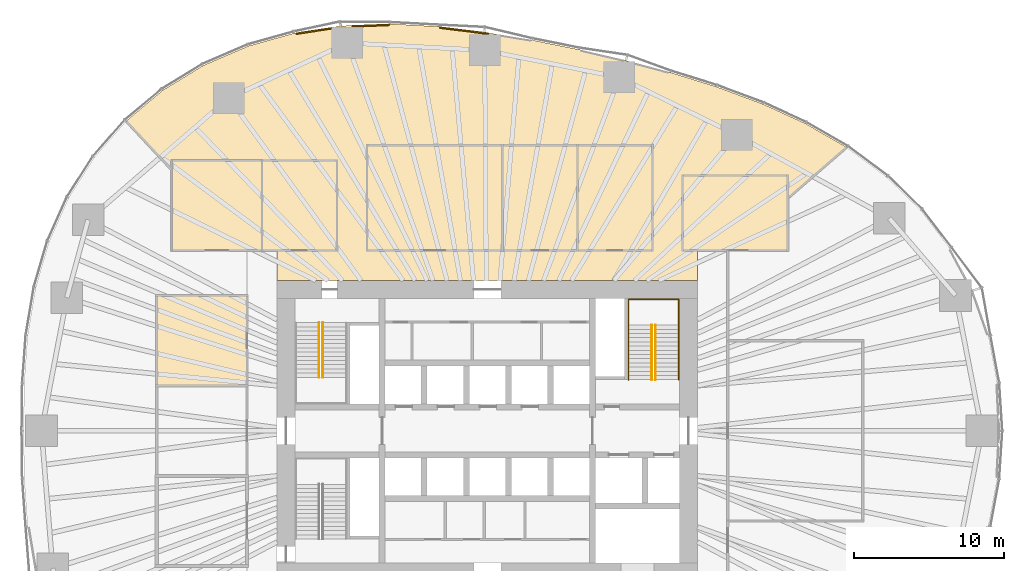
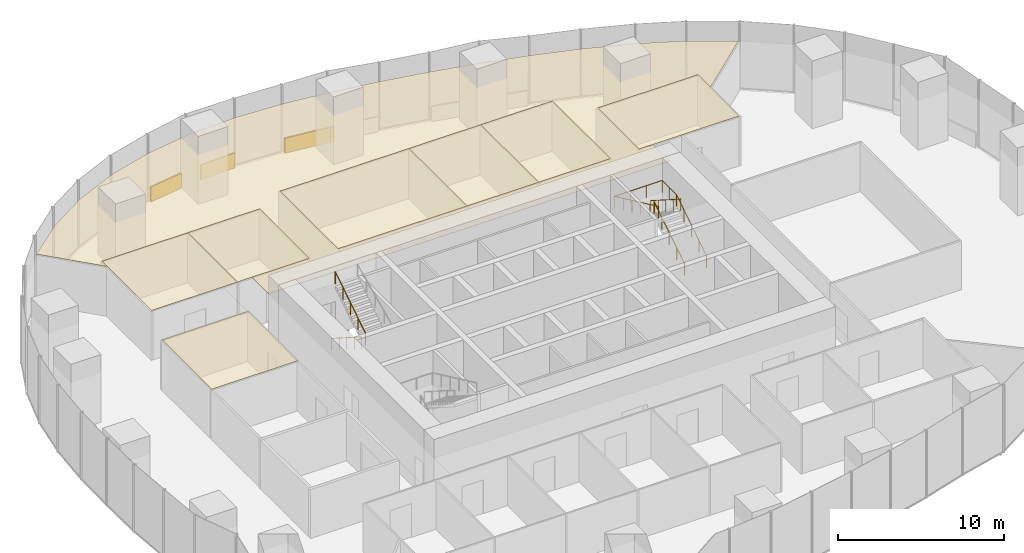
# One storey, part 19 of 20: 12 coverings, 5 railings.
"""IFC4 building model written with IfcOpenShell, lengths in metres."""

from ifc_helpers import new_model, si_unit, direction, frame, origin, origin_2d, place, context, subcontext, project, spatial, polyline, rectangle, circle, outline, extrude, material, layer, layer_set, type_object, element, save


model = new_model("IFC4")

# Units and contexts
model_context = context("Model", 3, precision=1e-05, world=origin(), true_north=direction((0.0, 1.0)))
body_context = subcontext(model_context, "Body", "Model", "MODEL_VIEW")
ifc_project = project(units=[si_unit("LENGTHUNIT", "METRE"), si_unit("AREAUNIT", "SQUARE_METRE"), si_unit("VOLUMEUNIT", "CUBIC_METRE"), si_unit("PLANEANGLEUNIT", "RADIAN"), si_unit("MASSUNIT", "GRAM", prefix="KILO")], contexts=[model_context])

# Site, building, storey
site_placement = place(None, origin())
site = spatial("IfcSite", under=ifc_project, at=site_placement, CompositionType="ELEMENT")
building_placement = place(site_placement, origin())
building = spatial("IfcBuilding", under=site, at=building_placement, Name="Ghaith Harvest Tower", CompositionType="ELEMENT")
storey_placement = place(building_placement, frame((0.0, 0.0, 50.0)))
storey = spatial("IfcBuildingStorey", under=building, at=storey_placement, Name="L10", CompositionType="ELEMENT", Elevation=50.0)

# Coverings
ifc_material_1 = material(Name="Mineral fibre ceiling tile", Category="gypsum")
ifc_layer_1 = layer(ifc_material_1, 0.02490234375)
ifc_layer_set_1 = layer_set([ifc_layer_1], Name="CEILING C2")
covering_type_1 = type_object("IfcCoveringType", Name="CEILING C2", PredefinedType="CEILING", material=ifc_layer_set_1)
covering_1_placement = place(storey_placement, frame((0.0, 0.0, 3.60009765625)))
element("IfcCovering", 1, at=covering_1_placement, inside=storey, type_object=covering_type_1, Name="Ceiling L10-08", PredefinedType="CEILING", context=body_context, shape_type="SweptSolid", body=[
    extrude(outline(polyline([(-21.0, 12.0), (-15.0, 12.0), (-15.0, 18.0), (-21.0, 18.0), (-21.0, 12.0)])), origin(), (0.0, 0.0, 1.0), 0.02490234375),
])
covering_2_placement = place(storey_placement, frame((0.0, 0.0, 3.60009765625)))
element("IfcCovering", 2, at=covering_2_placement, inside=storey, type_object=covering_type_1, Name="Ceiling L10-09", PredefinedType="CEILING", context=body_context, shape_type="SweptSolid", body=[
    extrude(outline(polyline([(-15.0, 12.0), (-10.0, 12.0), (-10.0, 18.0), (-15.0, 18.0), (-15.0, 12.0)])), origin(), (0.0, 0.0, 1.0), 0.02490234375),
])
covering_3_placement = place(storey_placement, frame((0.0, 0.0, 3.60009765625)))
element("IfcCovering", 3, at=covering_3_placement, inside=storey, type_object=covering_type_1, Name="Ceiling L10-10", PredefinedType="CEILING", context=body_context, shape_type="SweptSolid", body=[
    extrude(outline(polyline([(-8.0, 12.0), (1.0, 12.0), (1.0, 19.0), (-8.0, 19.0), (-8.0, 12.0)])), origin(), (0.0, 0.0, 1.0), 0.02490234375),
])
covering_4_placement = place(storey_placement, frame((0.0, 0.0, 3.60009765625)))
element("IfcCovering", 4, at=covering_4_placement, inside=storey, type_object=covering_type_1, Name="Ceiling L10-11", PredefinedType="CEILING", context=body_context, shape_type="SweptSolid", body=[
    extrude(outline(polyline([(1.0, 12.0), (6.0, 12.0), (6.0, 19.0), (1.0, 19.0), (1.0, 12.0)])), origin(), (0.0, 0.0, 1.0), 0.02490234375),
])
covering_5_placement = place(storey_placement, frame((0.0, 0.0, 3.60009765625)))
element("IfcCovering", 5, at=covering_5_placement, inside=storey, type_object=covering_type_1, Name="Ceiling L10-12", PredefinedType="CEILING", context=body_context, shape_type="SweptSolid", body=[
    extrude(outline(polyline([(6.0, 12.0), (11.0, 12.0), (11.0, 19.0), (6.0, 19.0), (6.0, 12.0)])), origin(), (0.0, 0.0, 1.0), 0.02490234375),
])
covering_6_placement = place(storey_placement, frame((0.0, 0.0, 3.60009765625)))
element("IfcCovering", 6, at=covering_6_placement, inside=storey, type_object=covering_type_1, Name="Ceiling L10-16", PredefinedType="CEILING", context=body_context, shape_type="SweptSolid", body=[
    extrude(outline(polyline([(-22.0, 3.0), (-16.0, 3.0), (-16.0, 9.0), (-22.0, 9.0), (-22.0, 3.0)])), origin(), (0.0, 0.0, 1.0), 0.02490234375),
])
covering_7_placement = place(storey_placement, frame((0.0, 0.0, 3.60009765625)))
element("IfcCovering", 7, at=covering_7_placement, inside=storey, type_object=covering_type_1, Name="Ceiling L10-17", PredefinedType="CEILING", context=body_context, shape_type="SweptSolid", body=[
    extrude(outline(polyline([(13.0, 12.0), (20.0, 12.0), (20.0, 17.0), (13.0, 17.0), (13.0, 12.0)])), origin(), (0.0, 0.0, 1.0), 0.02490234375),
])
covering_8_placement = place(storey_placement, frame((0.0, 0.0, 3.60009765625)))
element("IfcCovering", 8, at=covering_8_placement, inside=storey, type_object=covering_type_1, Name="Ceiling L10-N1", PredefinedType="CEILING", context=body_context, shape_type="SweptSolid", body=[
    extrude(outline(polyline([(-21.59912109375, 22.671142578125), (-18.8935546875, 24.32763671875), (-15.907958984375, 25.614501953125), (-12.828125, 26.476806640625), (-9.733642578125, 26.949951171875), (-6.4375, 27.0849609375), (-3.24755859375, 26.91064453125), (-0.181396484375, 26.527099609375), (2.99560546875, 26.004150390625), (6.10888671875, 25.378662109375), (9.21533203125, 24.65087890625), (12.1796875, 23.857666015625), (15.22119140625, 22.916259765625), (18.34521484375, 21.7548828125), (21.149169921875, 20.469482421875), (23.92431640625, 18.873046875), (20.0, 15.469482421875), (20.0, 17.0), (13.0, 17.0), (13.0, 12.0), (14.0, 12.0), (14.0, 10.0), (-14.0, 10.0), (-14.0, 12.0), (-10.0, 12.0), (-10.0, 18.0), (-21.0, 18.0), (-21.0, 17.354248046875), (-24.04833984375, 20.618408203125), (-21.59912109375, 22.671142578125)]), holes=[polyline([(-8.0, 19.0), (-8.0, 12.0), (11.0, 12.0), (11.0, 19.0), (-8.0, 19.0)])]), origin(), (0.0, 0.0, 1.0), 0.02490234375),
])

# Railings
ifc_material_2 = material(Name="Steel, black powder-coated", Category="steel")
railing_type = type_object("IfcRailingType", Name="HANDRAIL HR1", PredefinedType="HANDRAIL", material=ifc_material_2)
railing_1_placement = place(storey_placement, frame((-11.199951171875, 7.199951171875, 0.178466796875)))
element("IfcRailing", 9, at=railing_1_placement, inside=storey, type_object=railing_type, Name="Handrail HR1 stair ST1 L10 flight 1 inner", PredefinedType="HANDRAIL", context=body_context, shape_type="SweptSolid", body=[
    extrude(circle(Radius=0.02392578125, at=origin_2d()), frame((0.0, 0.0, 0.8759765625), z_axis=(0.0, -0.843111507901, 0.53773877045), x_axis=(1.0, 0.0, 0.0)), (0.0, 0.0, 1.0), 4.317138671875),
    extrude(circle(Radius=0.02099609375, at=origin_2d()), origin(), (0.0, 0.0, 1.0), 0.851806640625),
    extrude(circle(Radius=0.02099609375, at=origin_2d()), frame((0.0, -0.909912109375, 0.580322265625)), (0.0, 0.0, 1.0), 0.851806640625),
    extrude(circle(Radius=0.02099609375, at=origin_2d()), frame((0.0, -1.81982421875, 1.16064453125)), (0.0, 0.0, 1.0), 0.851806640625),
    extrude(circle(Radius=0.02099609375, at=origin_2d()), frame((0.0, -2.72998046875, 1.7412109375)), (0.0, 0.0, 1.0), 0.851806640625),
    extrude(circle(Radius=0.02099609375, at=origin_2d()), frame((0.0, -3.639892578125, 2.321533203125)), (0.0, 0.0, 1.0), 0.851806640625),
])
railing_2_placement = place(storey_placement, frame((-10.949951171875, 3.56005859375, 2.678466796875)))
element("IfcRailing", 10, at=railing_2_placement, inside=storey, type_object=railing_type, Name="Handrail HR1 stair ST1 L10 flight 2 inner", PredefinedType="HANDRAIL", context=body_context, shape_type="SweptSolid", body=[
    extrude(circle(Radius=0.02392578125, at=origin_2d()), frame((0.0, 0.0, 0.8759765625), z_axis=(0.0, 0.843111507901, 0.53773877045), x_axis=(-1.0, 0.0, 0.0)), (0.0, 0.0, 1.0), 4.317138671875),
    extrude(circle(Radius=0.02099609375, at=origin_2d()), origin(), (0.0, 0.0, 1.0), 0.851806640625),
    extrude(circle(Radius=0.02099609375, at=origin_2d()), frame((0.0, 0.909912109375, 0.580322265625)), (0.0, 0.0, 1.0), 0.851806640625),
    extrude(circle(Radius=0.02099609375, at=origin_2d()), frame((0.0, 1.81982421875, 1.16064453125)), (0.0, 0.0, 1.0), 0.851806640625),
    extrude(circle(Radius=0.02099609375, at=origin_2d()), frame((0.0, 2.72998046875, 1.7412109375)), (0.0, 0.0, 1.0), 0.851806640625),
    extrude(circle(Radius=0.02099609375, at=origin_2d()), frame((0.0, 3.639892578125, 2.321533203125)), (0.0, 0.0, 1.0), 0.851806640625),
])
railing_3_placement = place(storey_placement, frame((11.199951171875, 3.39990234375, 0.178466796875)))
element("IfcRailing", 11, at=railing_3_placement, inside=storey, type_object=railing_type, Name="Handrail HR1 stair ST2 L10 flight 1 inner", PredefinedType="HANDRAIL", context=body_context, shape_type="SweptSolid", body=[
    extrude(circle(Radius=0.02392578125, at=origin_2d()), frame((0.0, 0.0, 0.8759765625), z_axis=(0.0, 0.843127859045, 0.537713132908), x_axis=(-1.0, 0.0, 0.0)), (0.0, 0.0, 1.0), 4.3173828125),
    extrude(circle(Radius=0.02099609375, at=origin_2d()), origin(), (0.0, 0.0, 1.0), 0.851806640625),
    extrude(circle(Radius=0.02099609375, at=origin_2d()), frame((0.0, 0.91015625, 0.580322265625)), (0.0, 0.0, 1.0), 0.851806640625),
    extrude(circle(Radius=0.02099609375, at=origin_2d()), frame((0.0, 1.820068359375, 1.16064453125)), (0.0, 0.0, 1.0), 0.851806640625),
    extrude(circle(Radius=0.02099609375, at=origin_2d()), frame((0.0, 2.72998046875, 1.7412109375)), (0.0, 0.0, 1.0), 0.851806640625),
    extrude(circle(Radius=0.02099609375, at=origin_2d()), frame((0.0, 3.64013671875, 2.321533203125)), (0.0, 0.0, 1.0), 0.851806640625),
])
railing_4_placement = place(storey_placement, frame((10.949951171875, 7.0400390625, 2.678466796875)))
element("IfcRailing", 12, at=railing_4_placement, inside=storey, type_object=railing_type, Name="Handrail HR1 stair ST2 L10 flight 2 inner", PredefinedType="HANDRAIL", context=body_context, shape_type="SweptSolid", body=[
    extrude(circle(Radius=0.02392578125, at=origin_2d()), frame((0.0, 0.0, 0.8759765625), z_axis=(0.0, -0.843127859045, 0.537713132908), x_axis=(1.0, 0.0, 0.0)), (0.0, 0.0, 1.0), 4.3173828125),
    extrude(circle(Radius=0.02099609375, at=origin_2d()), origin(), (0.0, 0.0, 1.0), 0.851806640625),
    extrude(circle(Radius=0.02099609375, at=origin_2d()), frame((0.0, -0.91015625, 0.580322265625)), (0.0, 0.0, 1.0), 0.851806640625),
    extrude(circle(Radius=0.02099609375, at=origin_2d()), frame((0.0, -1.820068359375, 1.16064453125)), (0.0, 0.0, 1.0), 0.851806640625),
    extrude(circle(Radius=0.02099609375, at=origin_2d()), frame((0.0, -2.72998046875, 1.7412109375)), (0.0, 0.0, 1.0), 0.851806640625),
    extrude(circle(Radius=0.02099609375, at=origin_2d()), frame((0.0, -3.64013671875, 2.321533203125)), (0.0, 0.0, 1.0), 0.851806640625),
])
railing_5_placement = place(storey_placement, frame((12.75, 3.39990234375, 0.178466796875)))
element("IfcRailing", 13, at=railing_5_placement, inside=storey, type_object=railing_type, Name="Handrail HR1 stair ST2 L10 wall side", PredefinedType="HANDRAIL", context=body_context, shape_type="SweptSolid", body=[
    extrude(circle(Radius=0.02392578125, at=origin_2d()), frame((0.0, 0.0, 0.8759765625), z_axis=(0.0, 0.843127859045, 0.537713132908), x_axis=(-1.0, 0.0, 0.0)), (0.0, 0.0, 1.0), 4.3173828125),
    extrude(circle(Radius=0.02392578125, at=origin_2d()), frame((0.0, 3.64013671875, 3.197265625), z_axis=(0.0, 1.0, 0.0), x_axis=(-1.0, 0.0, 0.0)), (0.0, 0.0, 1.0), 1.7099609375),
    extrude(circle(Radius=0.02392578125, at=origin_2d()), frame((0.0, 5.35009765625, 3.197265625), z_axis=(-1.0, 0.0, 0.0), x_axis=(0.0, -1.0, 0.0)), (0.0, 0.0, 1.0), 3.35009765625),
    extrude(circle(Radius=0.02392578125, at=origin_2d()), frame((-3.35009765625, 5.35009765625, 3.197265625), z_axis=(0.0, -0.905969675553, 0.423342588193), x_axis=(1.0, 0.0, 0.0)), (0.0, 0.0, 1.0), 5.9052734375),
    extrude(circle(Radius=0.02099609375, at=origin_2d()), origin(), (0.0, 0.0, 1.0), 0.851806640625),
    extrude(circle(Radius=0.02099609375, at=origin_2d()), frame((0.0, 0.91015625, 0.580322265625)), (0.0, 0.0, 1.0), 0.851806640625),
    extrude(circle(Radius=0.02099609375, at=origin_2d()), frame((0.0, 1.820068359375, 1.16064453125)), (0.0, 0.0, 1.0), 0.851806640625),
    extrude(circle(Radius=0.02099609375, at=origin_2d()), frame((0.0, 2.72998046875, 1.7412109375)), (0.0, 0.0, 1.0), 0.851806640625),
    extrude(circle(Radius=0.02099609375, at=origin_2d()), frame((0.0, 3.64013671875, 2.321533203125)), (0.0, 0.0, 1.0), 0.851806640625),
    extrude(circle(Radius=0.02099609375, at=origin_2d()), frame((0.0, 4.4951171875, 2.321533203125)), (0.0, 0.0, 1.0), 0.851806640625),
    extrude(circle(Radius=0.02099609375, at=origin_2d()), frame((0.0, 5.35009765625, 2.321533203125)), (0.0, 0.0, 1.0), 0.851806640625),
    extrude(circle(Radius=0.02099609375, at=origin_2d()), frame((-1.11669921875, 5.35009765625, 2.321533203125)), (0.0, 0.0, 1.0), 0.851806640625),
    extrude(circle(Radius=0.02099609375, at=origin_2d()), frame((-2.2333984375, 5.35009765625, 2.321533203125)), (0.0, 0.0, 1.0), 0.851806640625),
    extrude(circle(Radius=0.02099609375, at=origin_2d()), frame((-3.35009765625, 5.35009765625, 2.321533203125)), (0.0, 0.0, 1.0), 0.851806640625),
    extrude(circle(Radius=0.02099609375, at=origin_2d()), frame((-3.35009765625, 4.280029296875, 2.821533203125)), (0.0, 0.0, 1.0), 0.851806640625),
    extrude(circle(Radius=0.02099609375, at=origin_2d()), frame((-3.35009765625, 3.2099609375, 3.321533203125)), (0.0, 0.0, 1.0), 0.851806640625),
    extrude(circle(Radius=0.02099609375, at=origin_2d()), frame((-3.35009765625, 2.14013671875, 3.821533203125)), (0.0, 0.0, 1.0), 0.851806640625),
    extrude(circle(Radius=0.02099609375, at=origin_2d()), frame((-3.35009765625, 1.070068359375, 4.321533203125)), (0.0, 0.0, 1.0), 0.851806640625),
    extrude(circle(Radius=0.02099609375, at=origin_2d()), frame((-3.35009765625, 0.0, 4.821533203125)), (0.0, 0.0, 1.0), 0.851806640625),
])

# Coverings
ifc_material_3 = material(Name="Insulated aluminium spandrel panel on steel framing", Category="steel")
ifc_layer_2 = layer(ifc_material_3, 0.10009765625)
ifc_layer_set_2 = layer_set([ifc_layer_2], Name="SLAB EDGE UPSTAND 1100x100")
covering_type_2 = type_object("IfcCoveringType", Name="SLAB EDGE UPSTAND 1100x100", PredefinedType="CLADDING", material=ifc_layer_set_2)
covering_9_placement = place(storey_placement, frame((-0.063720703125, 26.45703125, 0.0), z_axis=(0.0, 0.0, 1.0), x_axis=(-0.986716247541, 0.162453214305, 0.0)))
element("IfcCovering", 14, at=covering_9_placement, inside=storey, type_object=covering_type_2, Name="Slab edge upstand 3 bay 05 L10", PredefinedType="CLADDING", context=body_context, shape_type="SweptSolid", body=[
    extrude(rectangle(XDim=0.255126953125, YDim=0.10009765625, at=origin_2d()), origin(), (0.0, 0.0, 1.0), 1.10009765625),
])
covering_10_placement = place(storey_placement, frame((-1.671142578125, 26.6630859375, 0.0), z_axis=(0.0, 0.0, 1.0), x_axis=(-0.99226486887, 0.124138753038, 0.0)))
element("IfcCovering", 15, at=covering_10_placement, inside=storey, type_object=covering_type_2, Name="Slab edge upstand 1 bay 06 L10", PredefinedType="CLADDING", context=body_context, shape_type="SweptSolid", body=[
    extrude(rectangle(XDim=2.98974609375, YDim=0.10009765625, at=origin_2d()), origin(), (0.0, 0.0, 1.0), 1.10009765625),
])
covering_11_placement = place(storey_placement, frame((-7.75537109375, 26.98095703125, 0.0), z_axis=(0.0, 0.0, 1.0), x_axis=(-0.999160890982, -0.040957464901, 0.0)))
element("IfcCovering", 16, at=covering_11_placement, inside=storey, type_object=covering_type_2, Name="Slab edge upstand 3 bay 06 L10", PredefinedType="CLADDING", context=body_context, shape_type="SweptSolid", body=[
    extrude(rectangle(XDim=2.44189453125, YDim=0.10009765625, at=origin_2d()), origin(), (0.0, 0.0, 1.0), 1.10009765625),
])
covering_12_placement = place(storey_placement, frame((-11.5576171875, 26.62060546875, 0.0), z_axis=(0.0, 0.0, 1.0), x_axis=(-0.988517924816, -0.1511036476, 0.0)))
element("IfcCovering", 17, at=covering_12_placement, inside=storey, type_object=covering_type_2, Name="Slab edge upstand 1 bay 07 L10", PredefinedType="CLADDING", context=body_context, shape_type="SweptSolid", body=[
    extrude(rectangle(XDim=2.355224609375, YDim=0.10009765625, at=origin_2d()), origin(), (0.0, 0.0, 1.0), 1.10009765625),
])

save(model, "model.ifc")
